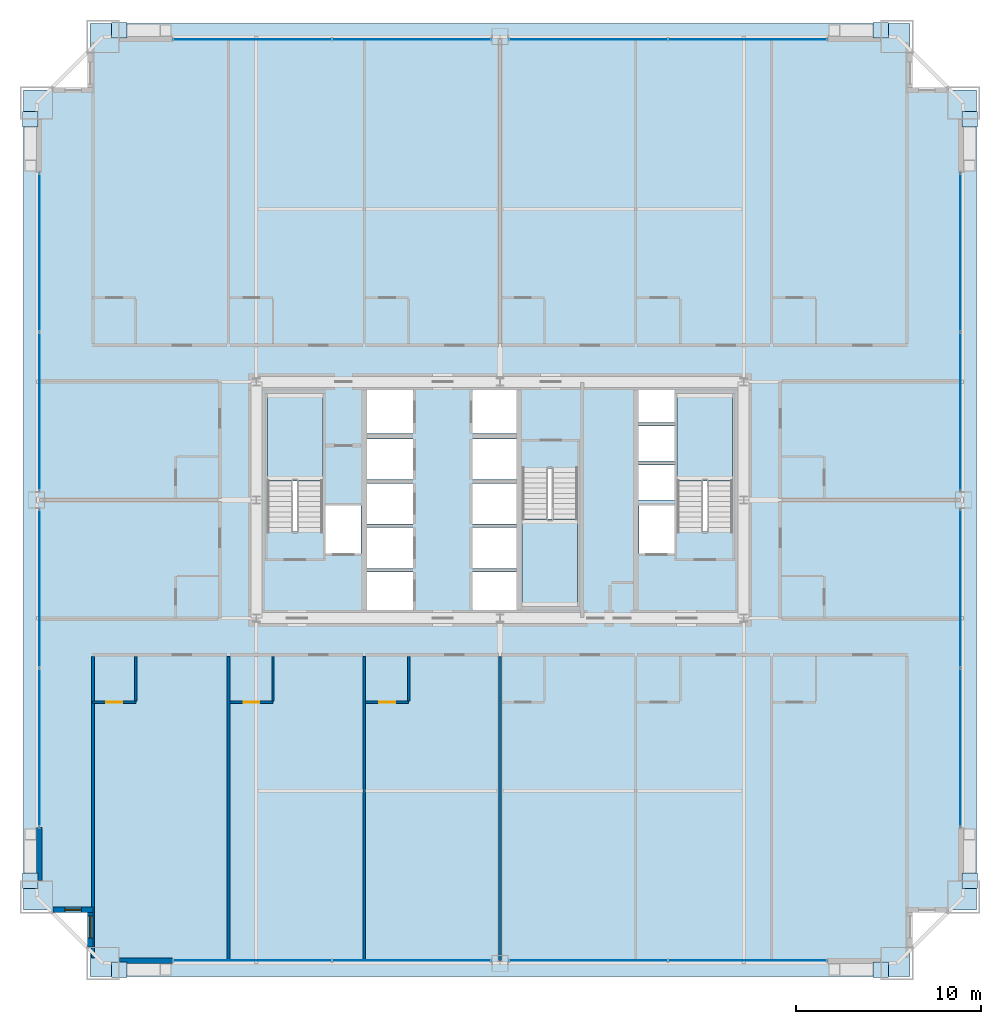
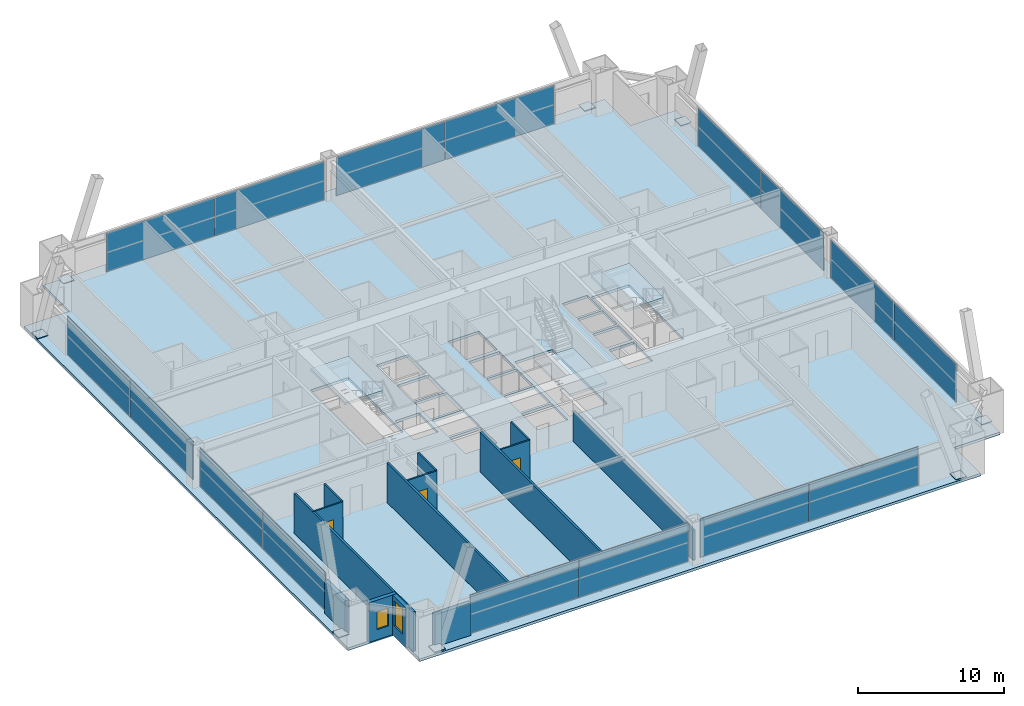
# One storey, part 38 of 43: 24 plates, 14 walls, 4 slabs, 3 doors, 2 windows, 5 openings, 11 elements without a shape of their own.
"""IFC4 building model written with IfcOpenShell, lengths in metres."""

from ifc_helpers import new_model, si_unit, direction, frame, frame_2d, origin, origin_2d, place, context, subcontext, project, spatial, polyline, rectangle, outline, extrude, source, transform, mapped, material, layer, layer_set, type_object, element, fill, aggregate, save


model = new_model("IFC4")

# Units and contexts
model_context = context("Model", 3, precision=1e-05, world=origin(), true_north=direction((0.0, 1.0)))
body_context = subcontext(model_context, "Body", "Model", "MODEL_VIEW")
ifc_project = project(units=[si_unit("LENGTHUNIT", "METRE"), si_unit("AREAUNIT", "SQUARE_METRE"), si_unit("VOLUMEUNIT", "CUBIC_METRE"), si_unit("PLANEANGLEUNIT", "RADIAN"), si_unit("MASSUNIT", "GRAM", prefix="KILO"), si_unit("THERMODYNAMICTEMPERATUREUNIT", "KELVIN"), si_unit("POWERUNIT", "WATT")], contexts=[model_context])

# Site, building, storey
site_placement = place(None, origin())
site = spatial("IfcSite", under=ifc_project, at=site_placement, CompositionType="ELEMENT")
building_placement = place(site_placement, origin())
building = spatial("IfcBuilding", under=site, at=building_placement, Name="Yuzanri Waterfront Tower", CompositionType="ELEMENT")
storey_placement = place(building_placement, frame((0.0, 0.0, 37.800048828125)))
storey = spatial("IfcBuildingStorey", under=building, at=storey_placement, Name="L09", CompositionType="ELEMENT", Elevation=37.800048828125)

# Stair, slab
ifc_material_1 = material(Name="Concrete C40", Category="concrete")
stair_type = type_object("IfcStairType", Name="Concrete C40 Core Dogleg Exit Stair", PredefinedType="HALF_TURN_STAIR", material=ifc_material_1)
stair_1_placement = place(storey_placement, origin())
stair_1 = element("IfcStair", 1, at=stair_1_placement, inside=storey, type_object=stair_type, Name="L09 Smoke-Proof Core Stair ST-01", PredefinedType="HALF_TURN_STAIR")
ifc_material_2 = material(Name="Concrete C40", Category="concrete")
ifc_layer_1 = layer(ifc_material_2, 0.179931640625)
ifc_layer_set_1 = layer_set([ifc_layer_1], Name="Concrete C40")
slab_type_1 = type_object("IfcSlabType", Name="Concrete C40 Stair Half-Landing Slab 180", PredefinedType="LANDING", material=ifc_layer_set_1)
slab_1_placement = place(storey_placement, frame((0.0, 0.0, 1.599853515625)))
slab_1 = element("IfcSlab", 2, at=slab_1_placement, type_object=slab_type_1, Name="ST-01 landing 1", PredefinedType="LANDING", context=body_context, shape_type="SweptSolid", body=[
    extrude(outline(polyline([(27.39990234375, 26.840087890625), (27.39990234375, 31.580078125), (24.39990234375, 31.580078125), (24.39990234375, 26.840087890625), (27.39990234375, 26.840087890625)])), origin(), (0.0, 0.0, 1.0), 0.2001953125),
])
aggregate(stair_1, [slab_1])

stair_2_placement = place(storey_placement, origin())
stair_2 = element("IfcStair", 3, at=stair_2_placement, inside=storey, type_object=stair_type, Name="L09 Smoke-Proof Core Stair ST-02", PredefinedType="HALF_TURN_STAIR")
slab_2_placement = place(storey_placement, frame((0.0, 0.0, 1.599853515625)))
slab_2 = element("IfcSlab", 4, at=slab_2_placement, type_object=slab_type_1, Name="ST-02 landing 1", PredefinedType="LANDING", context=body_context, shape_type="SweptSolid", body=[
    extrude(outline(polyline([(49.60009765625, 26.840087890625), (49.60009765625, 31.580078125), (46.60009765625, 31.580078125), (46.60009765625, 26.840087890625), (49.60009765625, 26.840087890625)])), origin(), (0.0, 0.0, 1.0), 0.2001953125),
])
aggregate(stair_2, [slab_2])

stair_3_placement = place(storey_placement, origin())
stair_3 = element("IfcStair", 5, at=stair_3_placement, inside=storey, type_object=stair_type, Name="L09 Smoke-Proof Core Stair ST-03", PredefinedType="HALF_TURN_STAIR")
slab_3_placement = place(storey_placement, frame((0.0, 0.0, 1.599853515625)))
slab_3 = element("IfcSlab", 6, at=slab_3_placement, type_object=slab_type_1, Name="ST-03 landing 1", PredefinedType="LANDING", context=body_context, shape_type="SweptSolid", body=[
    extrude(outline(polyline([(38.199951171875, 24.760009765625), (38.199951171875, 20.02001953125), (41.199951171875, 20.02001953125), (41.199951171875, 24.760009765625), (38.199951171875, 24.760009765625)])), origin(), (0.0, 0.0, 1.0), 0.2001953125),
])
aggregate(stair_3, [slab_3])

# Slab
ifc_material_3 = material(Name="Concrete C40", Category="concrete")
ifc_layer_2 = layer(ifc_material_3, 0.219970703125)
ifc_layer_set_2 = layer_set([ifc_layer_2], Name="Concrete C40")
slab_type_2 = type_object("IfcSlabType", Name="Concrete C40 Tower Typical Structural Floor Slab 220", PredefinedType="FLOOR", material=ifc_layer_set_2)
slab_4_placement = place(storey_placement, frame((0.0, 0.0, -0.219970703125)))
element("IfcSlab", 7, at=slab_4_placement, inside=storey, type_object=slab_type_2, Name="L09 Main Structural Floor Slab", PredefinedType="FLOOR", context=body_context, shape_type="SweptSolid", body=[
    extrude(outline(polyline([(14.800048828125, 0.0), (59.199951171875, 0.0), (59.199951171875, 3.60009765625), (62.800048828125, 3.60009765625), (62.800048828125, 48.0), (59.199951171875, 48.0), (59.199951171875, 51.60009765625), (14.800048828125, 51.60009765625), (14.800048828125, 48.0), (11.199951171875, 48.0), (11.199951171875, 3.60009765625), (14.800048828125, 3.60009765625), (14.800048828125, 0.0)]), holes=[polyline([(27.39990234375, 24.10009765625), (27.39990234375, 31.580078125), (24.39990234375, 31.580078125), (24.39990234375, 24.10009765625), (27.39990234375, 24.10009765625)]), polyline([(49.60009765625, 24.10009765625), (49.60009765625, 31.580078125), (46.60009765625, 31.580078125), (46.60009765625, 24.10009765625), (49.60009765625, 24.10009765625)]), polyline([(38.199951171875, 27.5), (38.199951171875, 20.02001953125), (41.199951171875, 20.02001953125), (41.199951171875, 27.5), (38.199951171875, 27.5)]), polyline([(27.56005859375, 22.89990234375), (29.47998046875, 22.89990234375), (29.47998046875, 25.5), (27.56005859375, 25.5), (27.56005859375, 22.89990234375)]), polyline([(44.52001953125, 22.89990234375), (46.43994140625, 22.89990234375), (46.43994140625, 25.5), (44.52001953125, 25.5), (44.52001953125, 22.89990234375)]), polyline([(29.800048828125, 19.699951171875), (32.300048828125, 19.699951171875), (32.300048828125, 21.89990234375), (29.800048828125, 21.89990234375), (29.800048828125, 19.699951171875)]), polyline([(29.800048828125, 22.10009765625), (32.300048828125, 22.10009765625), (32.300048828125, 24.300048828125), (29.800048828125, 24.300048828125), (29.800048828125, 22.10009765625)]), polyline([(29.800048828125, 24.5), (32.300048828125, 24.5), (32.300048828125, 26.699951171875), (29.800048828125, 26.699951171875), (29.800048828125, 24.5)]), polyline([(29.800048828125, 26.89990234375), (32.300048828125, 26.89990234375), (32.300048828125, 29.10009765625), (29.800048828125, 29.10009765625), (29.800048828125, 26.89990234375)]), polyline([(29.800048828125, 29.39990234375), (32.300048828125, 29.39990234375), (32.300048828125, 31.89990234375), (29.800048828125, 31.89990234375), (29.800048828125, 29.39990234375)]), polyline([(35.5, 19.699951171875), (37.89990234375, 19.699951171875), (37.89990234375, 21.89990234375), (35.5, 21.89990234375), (35.5, 19.699951171875)]), polyline([(35.5, 22.10009765625), (37.89990234375, 22.10009765625), (37.89990234375, 24.300048828125), (35.5, 24.300048828125), (35.5, 22.10009765625)]), polyline([(35.5, 24.5), (37.89990234375, 24.5), (37.89990234375, 26.699951171875), (35.5, 26.699951171875), (35.5, 24.5)]), polyline([(35.5, 26.89990234375), (37.89990234375, 26.89990234375), (37.89990234375, 29.10009765625), (35.5, 29.10009765625), (35.5, 26.89990234375)]), polyline([(35.5, 29.39990234375), (37.89990234375, 29.39990234375), (37.89990234375, 31.89990234375), (35.5, 31.89990234375), (35.5, 29.39990234375)]), polyline([(44.5, 25.800048828125), (46.5, 25.800048828125), (46.5, 27.699951171875), (44.5, 27.699951171875), (44.5, 25.800048828125)]), polyline([(44.5, 27.89990234375), (46.5, 27.89990234375), (46.5, 29.800048828125), (44.5, 29.800048828125), (44.5, 27.89990234375)]), polyline([(44.5, 30.0), (46.5, 30.0), (46.5, 31.89990234375), (44.5, 31.89990234375), (44.5, 30.0)])]), origin(), (0.0, 0.0, 1.0), 0.219970703125),
])

# Plates
ifc_material_4 = material(Name="Steel Q420GJC", Category="steel")
ifc_layer_3 = layer(ifc_material_4, 0.0400390625)
ifc_layer_set_3 = layer_set([ifc_layer_3], Name="Steel Q420GJC")
plate_type_1 = type_object("IfcPlateType", Name="Steel Q420GJC Mega-Brace Gusset and End-Cap Plate 40", PredefinedType="SHEET", material=ifc_layer_set_3)
shared_shape_1 = source(origin(), body_context, "Body", "SweptSolid", [
    extrude(rectangle(XDim=0.85009765625, YDim=0.85009765625, at=origin_2d()), origin(), (0.0, 0.0, 1.0), 0.0400390625),
])
for number, where, z_axis, x_axis, name in (
    (8, (16.3798828125, 0.360107421875, 0.159912109375), (0.0, 0.0, 1.0), (1.0, 0.0, 0.0), "L09 Mega-Brace Foot Cap Plate S-L"),
    (9, (57.6201171875, 0.360107421875, 0.159912109375), (0.0, 0.0, 1.0), (1.0, 0.0, 0.0), "L09 Mega-Brace Foot Cap Plate S-R"),
    (10, (16.3798828125, 51.239990234375, 0.159912109375), (0.0, 0.0, 1.0), (1.0, 0.0, 0.0), "L09 Mega-Brace Foot Cap Plate N-L"),
    (11, (57.6201171875, 51.239990234375, 0.159912109375), (0.0, 0.0, 1.0), (1.0, 0.0, 0.0), "L09 Mega-Brace Foot Cap Plate N-R"),
    (12, (11.56005859375, 5.179931640625, 0.159912109375), (0.0, 0.0, 1.0), (1.0, 0.0, 0.0), "L09 Mega-Brace Foot Cap Plate W-L"),
    (13, (11.56005859375, 46.419921875, 0.159912109375), (0.0, 0.0, 1.0), (1.0, 0.0, 0.0), "L09 Mega-Brace Foot Cap Plate W-R"),
    (14, (62.43994140625, 5.179931640625, 0.159912109375), (0.0, 0.0, 1.0), (1.0, 0.0, 0.0), "L09 Mega-Brace Foot Cap Plate E-L"),
    (15, (62.43994140625, 46.419921875, 0.159912109375), (0.0, 0.0, 1.0), (1.0, 0.0, 0.0), "L09 Mega-Brace Foot Cap Plate E-R"),
):
    element("IfcPlate", number, at=place(storey_placement, frame(where, z_axis=z_axis, x_axis=x_axis)), inside=storey, type_object=plate_type_1, Name=name, PredefinedType="SHEET", context=body_context, shape_type="MappedRepresentation", body=[
        mapped(shared_shape_1, transform((0.0, 0.0, 0.0), scale=1.0)),
    ])

# Curtain wall, plates
ifc_material_5 = material(Name="Anodized Architectural Bronze", Category="metal")
ifc_layer_4 = layer(ifc_material_5, 0.159912109375)
ifc_layer_set_4 = layer_set([ifc_layer_4], Name="Anodized Architectural Bronze")
curtain_wall_type = type_object("IfcCurtainWallType", Name="Anodized Bronze Hotel Lower-Tier Recessed Unitized Curtain Wall 8100", PredefinedType="NOTDEFINED", material=ifc_layer_set_4)
curtain_wall_1_placement = place(storey_placement, origin())
curtain_wall_1 = element("IfcCurtainWall", 16, at=curtain_wall_1_placement, inside=storey, type_object=curtain_wall_type, Name="L09 Curtain Wall CW-L09-SL", PredefinedType="NOTDEFINED")
ifc_material_6 = material(Name="Double-Silver Low-E Insulated Glass", Category="glass")
ifc_layer_5 = layer(ifc_material_6, 0.035888671875)
ifc_layer_set_5 = layer_set([ifc_layer_5], Name="Double-Silver Low-E Insulated Glass")
plate_type_2 = type_object("IfcPlateType", Name="Double Silver Low-E Insulated Vision Glass Panel 36", PredefinedType="CURTAIN_PANEL", material=ifc_layer_set_5)
shared_shape_2 = source(origin(), body_context, "Body", "SweptSolid", [
    extrude(rectangle(XDim=8.570068359375, YDim=0.035888671875, at=origin_2d()), origin(), (0.0, 0.0, 1.0), 3.219970703125),
])
plate_1_placement = place(storey_placement, frame((23.574951171875, 0.85009765625, 0.0498046875), z_axis=(0.0, 0.0, 1.0), x_axis=(1.0, 0.0, 0.0)))
plate_1 = element("IfcPlate", 17, at=plate_1_placement, type_object=plate_type_2, Name="CW-L09-SL Vision Glass Panel 01", PredefinedType="CURTAIN_PANEL", context=body_context, shape_type="MappedRepresentation", body=[
    mapped(shared_shape_2, transform((0.0, 0.0, 0.0), scale=1.0)),
])
plate_2_placement = place(storey_placement, frame((32.22509765625, 0.85009765625, 0.0498046875), z_axis=(0.0, 0.0, 1.0), x_axis=(1.0, 0.0, 0.0)))
plate_2 = element("IfcPlate", 18, at=plate_2_placement, type_object=plate_type_2, Name="CW-L09-SL Vision Glass Panel 02", PredefinedType="CURTAIN_PANEL", context=body_context, shape_type="MappedRepresentation", body=[
    mapped(shared_shape_2, transform((0.0, 0.0, 0.0), scale=1.0)),
])
aggregate(curtain_wall_1, [plate_1, plate_2])

curtain_wall_2_placement = place(storey_placement, origin())
curtain_wall_2 = element("IfcCurtainWall", 19, at=curtain_wall_2_placement, inside=storey, type_object=curtain_wall_type, Name="L09 Curtain Wall CW-L09-SR", PredefinedType="NOTDEFINED")
plate_3_placement = place(storey_placement, frame((41.77490234375, 0.85009765625, 0.0498046875), z_axis=(0.0, 0.0, 1.0), x_axis=(1.0, 0.0, 0.0)))
plate_3 = element("IfcPlate", 20, at=plate_3_placement, type_object=plate_type_2, Name="CW-L09-SR Vision Glass Panel 01", PredefinedType="CURTAIN_PANEL", context=body_context, shape_type="MappedRepresentation", body=[
    mapped(shared_shape_2, transform((0.0, 0.0, 0.0), scale=1.0)),
])
plate_4_placement = place(storey_placement, frame((50.425048828125, 0.85009765625, 0.0498046875), z_axis=(0.0, 0.0, 1.0), x_axis=(1.0, 0.0, 0.0)))
plate_4 = element("IfcPlate", 21, at=plate_4_placement, type_object=plate_type_2, Name="CW-L09-SR Vision Glass Panel 02", PredefinedType="CURTAIN_PANEL", context=body_context, shape_type="MappedRepresentation", body=[
    mapped(shared_shape_2, transform((0.0, 0.0, 0.0), scale=1.0)),
])
aggregate(curtain_wall_2, [plate_3, plate_4])

curtain_wall_3_placement = place(storey_placement, origin())
curtain_wall_3 = element("IfcCurtainWall", 22, at=curtain_wall_3_placement, inside=storey, type_object=curtain_wall_type, Name="L09 Curtain Wall CW-L09-NL", PredefinedType="NOTDEFINED")
plate_5_placement = place(storey_placement, frame((23.574951171875, 50.75, 0.0498046875), z_axis=(0.0, 0.0, 1.0), x_axis=(1.0, 0.0, 0.0)))
plate_5 = element("IfcPlate", 23, at=plate_5_placement, type_object=plate_type_2, Name="CW-L09-NL Vision Glass Panel 01", PredefinedType="CURTAIN_PANEL", context=body_context, shape_type="MappedRepresentation", body=[
    mapped(shared_shape_2, transform((0.0, 0.0, 0.0), scale=1.0)),
])
plate_6_placement = place(storey_placement, frame((32.22509765625, 50.75, 0.0498046875), z_axis=(0.0, 0.0, 1.0), x_axis=(1.0, 0.0, 0.0)))
plate_6 = element("IfcPlate", 24, at=plate_6_placement, type_object=plate_type_2, Name="CW-L09-NL Vision Glass Panel 02", PredefinedType="CURTAIN_PANEL", context=body_context, shape_type="MappedRepresentation", body=[
    mapped(shared_shape_2, transform((0.0, 0.0, 0.0), scale=1.0)),
])
aggregate(curtain_wall_3, [plate_5, plate_6])

curtain_wall_4_placement = place(storey_placement, origin())
curtain_wall_4 = element("IfcCurtainWall", 25, at=curtain_wall_4_placement, inside=storey, type_object=curtain_wall_type, Name="L09 Curtain Wall CW-L09-NR", PredefinedType="NOTDEFINED")
plate_7_placement = place(storey_placement, frame((41.77490234375, 50.75, 0.0498046875), z_axis=(0.0, 0.0, 1.0), x_axis=(1.0, 0.0, 0.0)))
plate_7 = element("IfcPlate", 26, at=plate_7_placement, type_object=plate_type_2, Name="CW-L09-NR Vision Glass Panel 01", PredefinedType="CURTAIN_PANEL", context=body_context, shape_type="MappedRepresentation", body=[
    mapped(shared_shape_2, transform((0.0, 0.0, 0.0), scale=1.0)),
])
plate_8_placement = place(storey_placement, frame((50.425048828125, 50.75, 0.0498046875), z_axis=(0.0, 0.0, 1.0), x_axis=(1.0, 0.0, 0.0)))
plate_8 = element("IfcPlate", 27, at=plate_8_placement, type_object=plate_type_2, Name="CW-L09-NR Vision Glass Panel 02", PredefinedType="CURTAIN_PANEL", context=body_context, shape_type="MappedRepresentation", body=[
    mapped(shared_shape_2, transform((0.0, 0.0, 0.0), scale=1.0)),
])
aggregate(curtain_wall_4, [plate_7, plate_8])

curtain_wall_5_placement = place(storey_placement, origin())
curtain_wall_5 = element("IfcCurtainWall", 28, at=curtain_wall_5_placement, inside=storey, type_object=curtain_wall_type, Name="L09 Curtain Wall CW-L09-WL", PredefinedType="NOTDEFINED")
plate_9_placement = place(storey_placement, frame((12.050048828125, 12.375, 0.0498046875), z_axis=(0.0, 0.0, 1.0), x_axis=(0.0, 1.0, 0.0)))
plate_9 = element("IfcPlate", 29, at=plate_9_placement, type_object=plate_type_2, Name="CW-L09-WL Vision Glass Panel 01", PredefinedType="CURTAIN_PANEL", context=body_context, shape_type="MappedRepresentation", body=[
    mapped(shared_shape_2, transform((0.0, 0.0, 0.0), scale=1.0)),
])
plate_10_placement = place(storey_placement, frame((12.050048828125, 21.02490234375, 0.0498046875), z_axis=(0.0, 0.0, 1.0), x_axis=(0.0, 1.0, 0.0)))
plate_10 = element("IfcPlate", 30, at=plate_10_placement, type_object=plate_type_2, Name="CW-L09-WL Vision Glass Panel 02", PredefinedType="CURTAIN_PANEL", context=body_context, shape_type="MappedRepresentation", body=[
    mapped(shared_shape_2, transform((0.0, 0.0, 0.0), scale=1.0)),
])
aggregate(curtain_wall_5, [plate_9, plate_10])

curtain_wall_6_placement = place(storey_placement, origin())
curtain_wall_6 = element("IfcCurtainWall", 31, at=curtain_wall_6_placement, inside=storey, type_object=curtain_wall_type, Name="L09 Curtain Wall CW-L09-WR", PredefinedType="NOTDEFINED")
plate_11_placement = place(storey_placement, frame((12.050048828125, 30.574951171875, 0.0498046875), z_axis=(0.0, 0.0, 1.0), x_axis=(0.0, 1.0, 0.0)))
plate_11 = element("IfcPlate", 32, at=plate_11_placement, type_object=plate_type_2, Name="CW-L09-WR Vision Glass Panel 01", PredefinedType="CURTAIN_PANEL", context=body_context, shape_type="MappedRepresentation", body=[
    mapped(shared_shape_2, transform((0.0, 0.0, 0.0), scale=1.0)),
])
plate_12_placement = place(storey_placement, frame((12.050048828125, 39.22509765625, 0.0498046875), z_axis=(0.0, 0.0, 1.0), x_axis=(0.0, 1.0, 0.0)))
plate_12 = element("IfcPlate", 33, at=plate_12_placement, type_object=plate_type_2, Name="CW-L09-WR Vision Glass Panel 02", PredefinedType="CURTAIN_PANEL", context=body_context, shape_type="MappedRepresentation", body=[
    mapped(shared_shape_2, transform((0.0, 0.0, 0.0), scale=1.0)),
])
aggregate(curtain_wall_6, [plate_11, plate_12])

curtain_wall_7_placement = place(storey_placement, origin())
curtain_wall_7 = element("IfcCurtainWall", 34, at=curtain_wall_7_placement, inside=storey, type_object=curtain_wall_type, Name="L09 Curtain Wall CW-L09-EL", PredefinedType="NOTDEFINED")
plate_13_placement = place(storey_placement, frame((61.949951171875, 12.375, 0.0498046875), z_axis=(0.0, 0.0, 1.0), x_axis=(0.0, 1.0, 0.0)))
plate_13 = element("IfcPlate", 35, at=plate_13_placement, type_object=plate_type_2, Name="CW-L09-EL Vision Glass Panel 01", PredefinedType="CURTAIN_PANEL", context=body_context, shape_type="MappedRepresentation", body=[
    mapped(shared_shape_2, transform((0.0, 0.0, 0.0), scale=1.0)),
])
plate_14_placement = place(storey_placement, frame((61.949951171875, 21.02490234375, 0.0498046875), z_axis=(0.0, 0.0, 1.0), x_axis=(0.0, 1.0, 0.0)))
plate_14 = element("IfcPlate", 36, at=plate_14_placement, type_object=plate_type_2, Name="CW-L09-EL Vision Glass Panel 02", PredefinedType="CURTAIN_PANEL", context=body_context, shape_type="MappedRepresentation", body=[
    mapped(shared_shape_2, transform((0.0, 0.0, 0.0), scale=1.0)),
])
aggregate(curtain_wall_7, [plate_13, plate_14])

curtain_wall_8_placement = place(storey_placement, origin())
curtain_wall_8 = element("IfcCurtainWall", 37, at=curtain_wall_8_placement, inside=storey, type_object=curtain_wall_type, Name="L09 Curtain Wall CW-L09-ER", PredefinedType="NOTDEFINED")
plate_15_placement = place(storey_placement, frame((61.949951171875, 30.574951171875, 0.0498046875), z_axis=(0.0, 0.0, 1.0), x_axis=(0.0, 1.0, 0.0)))
plate_15 = element("IfcPlate", 38, at=plate_15_placement, type_object=plate_type_2, Name="CW-L09-ER Vision Glass Panel 01", PredefinedType="CURTAIN_PANEL", context=body_context, shape_type="MappedRepresentation", body=[
    mapped(shared_shape_2, transform((0.0, 0.0, 0.0), scale=1.0)),
])
plate_16_placement = place(storey_placement, frame((61.949951171875, 39.22509765625, 0.0498046875), z_axis=(0.0, 0.0, 1.0), x_axis=(0.0, 1.0, 0.0)))
plate_16 = element("IfcPlate", 39, at=plate_16_placement, type_object=plate_type_2, Name="CW-L09-ER Vision Glass Panel 02", PredefinedType="CURTAIN_PANEL", context=body_context, shape_type="MappedRepresentation", body=[
    mapped(shared_shape_2, transform((0.0, 0.0, 0.0), scale=1.0)),
])
aggregate(curtain_wall_8, [plate_15, plate_16])

# Wall, opening, door
ifc_material_7 = material(Name="Moisture-Resistant Gypsum Stud Wall", Category="gypsum")
ifc_layer_6 = layer(ifc_material_7, 0.1201171875)
ifc_layer_set_6 = layer_set([ifc_layer_6], Name="Moisture-Resistant Gypsum Stud Wall")
wall_type_1 = type_object("IfcWallType", Name="Bathroom and Kitchen Wet Partition 120", PredefinedType="PARTITIONING", material=ifc_layer_set_6)
wall_1_placement = place(storey_placement, frame((14.93994140625, 14.840087890625, 0.0), z_axis=(0.0, 0.0, 1.0), x_axis=(1.0, 0.0, 0.0)))
wall_1 = element("IfcWall", 40, at=wall_1_placement, inside=storey, type_object=wall_type_1, Name="L09 Partition UW-L09-S1-BS", PredefinedType="PARTITIONING", context=body_context, shape_type="SweptSolid", body=[
    extrude(rectangle(XDim=2.330078125, YDim=0.1201171875, at=frame_2d((1.1650390625, 0.0))), origin(), (0.0, 0.0, 1.0), 3.320068359375),
])
opening_1_placement = place(wall_1_placement, frame((0.739990234375, 0.0, 0.0)))
opening_1 = element("IfcOpeningElement", 41, at=opening_1_placement, cuts=wall_1, Name="Opening ID-0850", PredefinedType="OPENING", context=body_context, shape_type="SweptSolid", body=[
    extrude(rectangle(XDim=0.85009765625, YDim=2.10009765625, at=frame_2d((0.425048828125, 1.050048828125))), frame((0.0, 0.074951171875, 0.0), z_axis=(0.0, -1.0, 0.0), x_axis=(1.0, 0.0, 0.0)), (0.0, 0.0, 1.0), 0.14990234375),
])
ifc_material_8 = material(Name="Moisture-Resistant Lacquered Timber", Category="wood")
door_type = type_object("IfcDoorType", Name="En-Suite Bathroom and Kitchen Swing Door 850x2100", OperationType="NOTDEFINED", PredefinedType="DOOR", material=ifc_material_8)
shared_shape_3 = source(origin(), body_context, "Body", "SweptSolid", [
    extrude(rectangle(XDim=0.85009765625, YDim=2.10009765625, at=frame_2d((0.425048828125, 1.050048828125))), frame((0.0, 0.02490234375, 0.0), z_axis=(0.0, -1.0, 0.0), x_axis=(1.0, 0.0, 0.0)), (0.0, 0.0, 1.0), 0.050048828125),
])
door_1_placement = place(opening_1_placement, origin())
door_1 = element("IfcDoor", 42, at=door_1_placement, inside=storey, type_object=door_type, Name="L09 Guest En-Suite Door", OperationType="SINGLE_SWING_LEFT", OverallHeight=2.10009765625, OverallWidth=0.85009765625, PredefinedType="DOOR", context=body_context, shape_type="MappedRepresentation", body=[
    mapped(shared_shape_3, transform((0.0, 0.0, 0.0), scale=1.0)),
])
fill(opening_1, door_1)

wall_2_placement = place(storey_placement, frame((22.373046875, 14.840087890625, 0.0), z_axis=(0.0, 0.0, 1.0), x_axis=(1.0, 0.0, 0.0)))
wall_2 = element("IfcWall", 43, at=wall_2_placement, inside=storey, type_object=wall_type_1, Name="L09 Partition UW-L09-S2-BS", PredefinedType="PARTITIONING", context=body_context, shape_type="SweptSolid", body=[
    extrude(rectangle(XDim=2.329833984375, YDim=0.1201171875, at=frame_2d((1.1650390625, 0.0))), origin(), (0.0, 0.0, 1.0), 3.320068359375),
])
opening_2_placement = place(wall_2_placement, frame((0.739990234375, 0.0, 0.0)))
opening_2 = element("IfcOpeningElement", 44, at=opening_2_placement, cuts=wall_2, Name="Opening ID-0850", PredefinedType="OPENING", context=body_context, shape_type="SweptSolid", body=[
    extrude(rectangle(XDim=0.85009765625, YDim=2.10009765625, at=frame_2d((0.425048828125, 1.050048828125))), frame((0.0, 0.074951171875, 0.0), z_axis=(0.0, -1.0, 0.0), x_axis=(1.0, 0.0, 0.0)), (0.0, 0.0, 1.0), 0.14990234375),
])
door_2_placement = place(opening_2_placement, origin())
door_2 = element("IfcDoor", 45, at=door_2_placement, inside=storey, type_object=door_type, Name="L09 Guest En-Suite Door", OperationType="SINGLE_SWING_LEFT", OverallHeight=2.10009765625, OverallWidth=0.85009765625, PredefinedType="DOOR", context=body_context, shape_type="MappedRepresentation", body=[
    mapped(shared_shape_3, transform((0.0, 0.0, 0.0), scale=1.0)),
])
fill(opening_2, door_2)

wall_3_placement = place(storey_placement, frame((29.72705078125, 14.840087890625, 0.0), z_axis=(0.0, 0.0, 1.0), x_axis=(1.0, 0.0, 0.0)))
wall_3 = element("IfcWall", 46, at=wall_3_placement, inside=storey, type_object=wall_type_1, Name="L09 Partition UW-L09-S3-BS", PredefinedType="PARTITIONING", context=body_context, shape_type="SweptSolid", body=[
    extrude(rectangle(XDim=2.329833984375, YDim=0.1201171875, at=frame_2d((1.1650390625, 0.0))), origin(), (0.0, 0.0, 1.0), 3.320068359375),
])
opening_3_placement = place(wall_3_placement, frame((0.739990234375, 0.0, 0.0)))
opening_3 = element("IfcOpeningElement", 47, at=opening_3_placement, cuts=wall_3, Name="Opening ID-0850", PredefinedType="OPENING", context=body_context, shape_type="SweptSolid", body=[
    extrude(rectangle(XDim=0.85009765625, YDim=2.10009765625, at=frame_2d((0.425048828125, 1.050048828125))), frame((0.0, 0.074951171875, 0.0), z_axis=(0.0, -1.0, 0.0), x_axis=(1.0, 0.0, 0.0)), (0.0, 0.0, 1.0), 0.14990234375),
])
door_3_placement = place(opening_3_placement, origin())
door_3 = element("IfcDoor", 48, at=door_3_placement, inside=storey, type_object=door_type, Name="L09 Guest En-Suite Door", OperationType="SINGLE_SWING_LEFT", OverallHeight=2.10009765625, OverallWidth=0.85009765625, PredefinedType="DOOR", context=body_context, shape_type="MappedRepresentation", body=[
    mapped(shared_shape_3, transform((0.0, 0.0, 0.0), scale=1.0)),
])
fill(opening_3, door_3)

# Wall, opening, window
ifc_material_9 = material(Name="Honed Chongqing Dark Basalt Stone", Category="masonry")
ifc_layer_7 = layer(ifc_material_9, 0.300048828125)
ifc_layer_set_7 = layer_set([ifc_layer_7], Name="Honed Chongqing Dark Basalt Stone")
wall_type_2 = type_object("IfcWallType", Name="Bronze Rainscreen Insulated Spandrel Portal Wall 300", PredefinedType="SOLIDWALL", material=ifc_layer_set_7)
wall_4_placement = place(storey_placement, frame((12.800048828125, 3.60009765625, 0.0), z_axis=(0.0, 0.0, 1.0), x_axis=(1.0, 0.0, 0.0)))
wall_4 = element("IfcWall", 49, at=wall_4_placement, inside=storey, type_object=wall_type_2, Name="L09 Notched Corner Masonry Wall SW-X", PredefinedType="SOLIDWALL", context=body_context, shape_type="SweptSolid", body=[
    extrude(rectangle(XDim=2.14990234375, YDim=0.300048828125, at=frame_2d((1.074951171875, 0.0))), origin(), (0.0, 0.0, 1.0), 3.320068359375),
])
opening_4_placement = place(wall_4_placement, frame((0.625, 0.0, 0.85009765625)))
opening_4 = element("IfcOpeningElement", 50, at=opening_4_placement, cuts=wall_4, Name="Opening WN-05", PredefinedType="OPENING", context=body_context, shape_type="SweptSolid", body=[
    extrude(rectangle(XDim=0.89990234375, YDim=1.5, at=frame_2d((0.449951171875, 0.75))), frame((0.0, 0.1650390625, 0.0), z_axis=(0.0, -1.0, 0.0), x_axis=(1.0, 0.0, 0.0)), (0.0, 0.0, 1.0), 0.329833984375),
])
ifc_material_10 = material(Name="Double-Silver Low-E Insulated Glass", Category="glass")
window_type_1 = type_object("IfcWindowType", Name="Anodized Bronze Service and Stairwell Smoke-Vent Window 900x1500", PartitioningType="SINGLE_PANEL", PredefinedType="WINDOW", material=ifc_material_10)
shared_shape_4 = source(origin(), body_context, "Body", "SweptSolid", [
    extrude(rectangle(XDim=0.89990234375, YDim=1.5, at=frame_2d((0.449951171875, 0.75))), frame((0.0, 0.030029296875, 0.0), z_axis=(0.0, -1.0, 0.0), x_axis=(1.0, 0.0, 0.0)), (0.0, 0.0, 1.0), 0.06005859375),
])
window_1_placement = place(opening_4_placement, origin())
window_1 = element("IfcWindow", 51, at=window_1_placement, inside=storey, type_object=window_type_1, Name="L09 Notched Corner Window SW-X", OverallHeight=1.5, OverallWidth=0.89990234375, PartitioningType="SINGLE_PANEL", PredefinedType="WINDOW", context=body_context, shape_type="MappedRepresentation", body=[
    mapped(shared_shape_4, transform((0.0, 0.0, 0.0), scale=1.0)),
])
fill(opening_4, window_1)

wall_5_placement = place(storey_placement, frame((14.800048828125, 3.75, 0.0), z_axis=(0.0, 0.0, 1.0), x_axis=(0.0, -1.0, 0.0)))
wall_5 = element("IfcWall", 52, at=wall_5_placement, inside=storey, type_object=wall_type_2, Name="L09 Notched Corner Masonry Wall SW-Y", PredefinedType="SOLIDWALL", context=body_context, shape_type="SweptSolid", body=[
    extrude(rectangle(XDim=2.14990234375, YDim=0.300048828125, at=frame_2d((1.074951171875, 0.0))), origin(), (0.0, 0.0, 1.0), 3.320068359375),
])
opening_5_placement = place(wall_5_placement, frame((0.47509765625, 0.0, 0.85009765625)))
opening_5 = element("IfcOpeningElement", 53, at=opening_5_placement, cuts=wall_5, Name="Opening WN-02", PredefinedType="OPENING", context=body_context, shape_type="SweptSolid", body=[
    extrude(rectangle(XDim=1.199951171875, YDim=2.10009765625, at=frame_2d((0.60009765625, 1.050048828125))), frame((0.0, 0.1650390625, 0.0), z_axis=(0.0, -1.0, 0.0), x_axis=(1.0, 0.0, 0.0)), (0.0, 0.0, 1.0), 0.329833984375),
])
ifc_material_11 = material(Name="Double-Silver Low-E Insulated Glass", Category="glass")
window_type_2 = type_object("IfcWindowType", Name="Anodized Bronze Notched Corner Deep-Set Slot Window 1200x2100", PartitioningType="SINGLE_PANEL", PredefinedType="WINDOW", material=ifc_material_11)
shared_shape_5 = source(origin(), body_context, "Body", "SweptSolid", [
    extrude(rectangle(XDim=1.199951171875, YDim=2.10009765625, at=frame_2d((0.60009765625, 1.050048828125))), frame((0.0, 0.030029296875, 0.0), z_axis=(0.0, -1.0, 0.0), x_axis=(1.0, 0.0, 0.0)), (0.0, 0.0, 1.0), 0.06005859375),
])
window_2_placement = place(opening_5_placement, origin())
window_2 = element("IfcWindow", 54, at=window_2_placement, inside=storey, type_object=window_type_2, Name="L09 Notched Corner Window SW-Y", OverallHeight=2.10009765625, OverallWidth=1.199951171875, PartitioningType="SINGLE_PANEL", PredefinedType="WINDOW", context=body_context, shape_type="MappedRepresentation", body=[
    mapped(shared_shape_5, transform((0.0, 0.0, 0.0), scale=1.0)),
])
fill(opening_5, window_2)

# Walls
shared_shape_6 = source(origin(), body_context, "Body", "SweptSolid", [
    extrude(rectangle(XDim=2.85009765625, YDim=0.300048828125, at=frame_2d((1.425048828125, 0.0))), origin(), (0.0, 0.0, 1.0), 2.71484375),
])
for number, where, z_axis, x_axis, name in (
    (55, (16.39990234375, 0.85009765625, 0.0), (0.0, 0.0, 1.0), (1.0, 0.0, 0.0), "L09 S Left Braced Masonry Shoulder"),
    (56, (12.050048828125, 5.199951171875, 0.0), (0.0, 0.0, 1.0), (0.0, 1.0, 0.0), "L09 W Left Braced Masonry Shoulder"),
):
    element("IfcWall", number, at=place(storey_placement, frame(where, z_axis=z_axis, x_axis=x_axis)), inside=storey, type_object=wall_type_2, Name=name, PredefinedType="SOLIDWALL", context=body_context, shape_type="MappedRepresentation", body=[
        mapped(shared_shape_6, transform((0.0, 0.0, 0.0), scale=1.0)),
    ])
ifc_material_12 = material(Name="Gypsum Fireboard Acoustic Stud Wall", Category="gypsum")
ifc_layer_8 = layer(ifc_material_12, 0.159912109375)
ifc_layer_set_8 = layer_set([ifc_layer_8], Name="Gypsum Fireboard Acoustic Stud Wall")
wall_type_3 = type_object("IfcWallType", Name="Acoustic Suite Demising Partition 160", PredefinedType="PARTITIONING", material=ifc_layer_set_8)
shared_shape_7 = source(origin(), body_context, "Body", "SweptSolid", [
    extrude(rectangle(XDim=16.469970703125, YDim=0.159912109375, at=frame_2d((8.23486328125, 0.0))), origin(), (0.0, 0.0, 1.0), 3.320068359375),
])
for number, where, z_axis, x_axis, name in (
    (57, (22.29296875, 0.85009765625, 0.0), (0.0, 0.0, 1.0), (0.0, 1.0, 0.0), "L09-S1 Party Wall"),
    (58, (29.64697265625, 0.85009765625, 0.0), (0.0, 0.0, 1.0), (0.0, 1.0, 0.0), "L09-S2 Party Wall"),
):
    element("IfcWall", number, at=place(storey_placement, frame(where, z_axis=z_axis, x_axis=x_axis)), inside=storey, type_object=wall_type_3, Name=name, PredefinedType="PARTITIONING", context=body_context, shape_type="MappedRepresentation", body=[
        mapped(shared_shape_7, transform((0.0, 0.0, 0.0), scale=1.0)),
    ])
shared_shape_8 = source(origin(), body_context, "Body", "SweptSolid", [
    extrude(rectangle(XDim=2.420166015625, YDim=0.1201171875, at=frame_2d((1.2099609375, 0.0))), origin(), (0.0, 0.0, 1.0), 3.320068359375),
])
for number, where, z_axis, x_axis, name in (
    (59, (17.27001953125, 14.89990234375, 0.0), (0.0, 0.0, 1.0), (0.0, 1.0, 0.0), "L09-S1 En-Suite Side Wall"),
    (60, (24.702880859375, 14.89990234375, 0.0), (0.0, 0.0, 1.0), (0.0, 1.0, 0.0), "L09-S2 En-Suite Side Wall"),
    (61, (32.056884765625, 14.89990234375, 0.0), (0.0, 0.0, 1.0), (0.0, 1.0, 0.0), "L09-S3 En-Suite Side Wall"),
):
    element("IfcWall", number, at=place(storey_placement, frame(where, z_axis=z_axis, x_axis=x_axis)), inside=storey, type_object=wall_type_1, Name=name, PredefinedType="PARTITIONING", context=body_context, shape_type="MappedRepresentation", body=[
        mapped(shared_shape_8, transform((0.0, 0.0, 0.0), scale=1.0)),
    ])
shared_shape_9 = source(origin(), body_context, "Body", "SweptSolid", [
    extrude(rectangle(XDim=16.469970703125, YDim=0.159912109375, at=frame_2d((8.23486328125, 0.0))), origin(), (0.0, 0.0, 1.0), 2.514892578125),
])
wall_6_placement = place(storey_placement, frame((37.0, 0.85009765625, 0.0), z_axis=(0.0, 0.0, 1.0), x_axis=(0.0, 1.0, 0.0)))
element("IfcWall", 62, at=wall_6_placement, inside=storey, type_object=wall_type_3, Name="L09-S3 Party Wall", PredefinedType="PARTITIONING", context=body_context, shape_type="MappedRepresentation", body=[
    mapped(shared_shape_9, transform((0.0, 0.0, 0.0), scale=1.0)),
])
shared_shape_10 = source(origin(), body_context, "Body", "SweptSolid", [
    extrude(rectangle(XDim=16.320068359375, YDim=0.159912109375, at=frame_2d((8.16015625, 0.0))), origin(), (0.0, 0.0, 1.0), 3.320068359375),
])
wall_7_placement = place(storey_placement, frame((14.949951171875, 1.0, 0.0), z_axis=(0.0, 0.0, 1.0), x_axis=(0.0, 1.0, 0.0)))
element("IfcWall", 63, at=wall_7_placement, inside=storey, type_object=wall_type_3, Name="L09 South Band West End Wall", PredefinedType="PARTITIONING", context=body_context, shape_type="MappedRepresentation", body=[
    mapped(shared_shape_10, transform((0.0, 0.0, 0.0), scale=1.0)),
])

save(model, "model.ifc")
